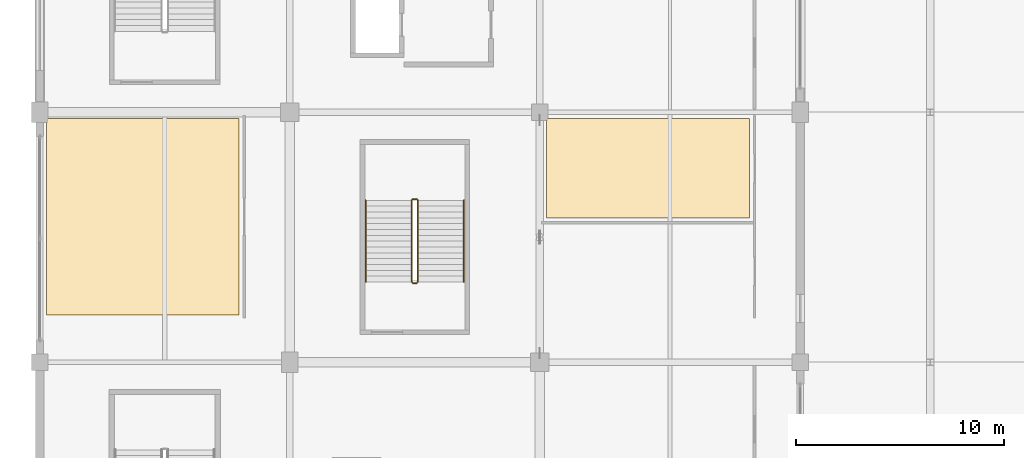
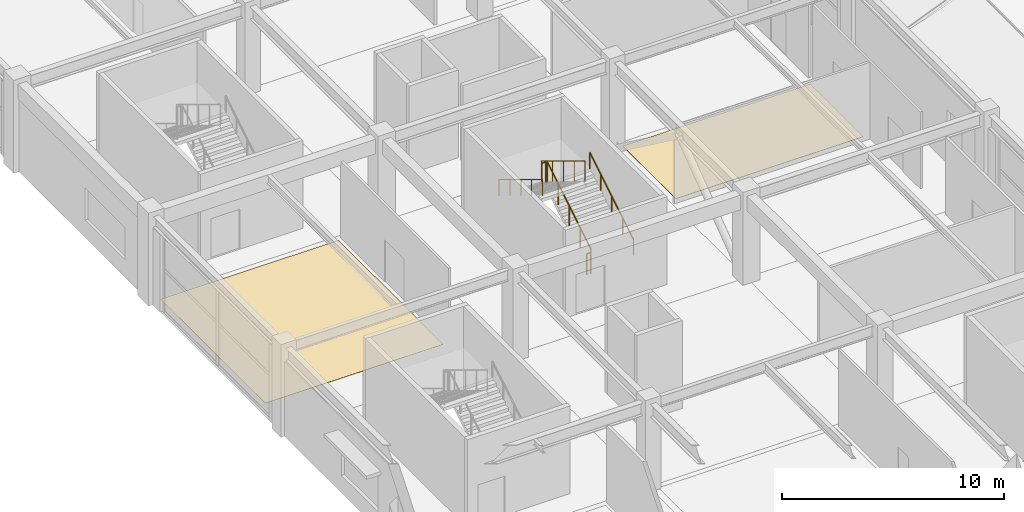
# One storey, part 95 of 116: 6 railings, 2 coverings.
"""IFC4 building model written with IfcOpenShell, lengths in metres."""

import ifcopenshell
import ifcopenshell.guid

model = None  # the IFC model being written
_history = None  # IfcOwnerHistory: only IFC2X3 demands one
_inside = {}  # id of a spatial element -> (the spatial element, [elements in it])
_under = {}  # id of a project, library or spatial element -> (it, [spatial elements below it])
_declared = {}  # id of a project -> (the project, [libraries it declares])
_typed = {}  # id of a type object -> (the type object, [elements of that type])
_made_of = {}  # id of a material, layer set ... -> (it, [elements and type objects made of it])


def new_model(schema):
    """Start an empty IFC model of exactly this schema.

    Asked for "IFC4X3", IfcOpenShell would pick the latest addendum, in which some entities
    have other attributes; the version numbers below select the first issue.
    IFC2X3 requires an IfcOwnerHistory on every rooted entity: one is made here for all.
    """
    global model, _history
    if schema == "IFC4X3":
        model = ifcopenshell.file(schema_version=(4, 3, 0, 0))
    else:
        model = ifcopenshell.file(schema=schema)
    _inside.clear()
    _under.clear()
    _declared.clear()
    _typed.clear()
    _made_of.clear()
    _history = None
    if model.schema == "IFC2X3":
        org = make("IfcOrganization", Name="unknown")
        user = make(
            "IfcPersonAndOrganization",
            ThePerson=make("IfcPerson", FamilyName="unknown"),
            TheOrganization=org,
        )
        app = make(
            "IfcApplication",
            ApplicationDeveloper=org,
            Version="unknown",
            ApplicationFullName="unknown",
            ApplicationIdentifier="unknown",
        )
        _history = make(
            "IfcOwnerHistory",
            OwningUser=user,
            OwningApplication=app,
            ChangeAction="ADDED",
            CreationDate=0,
        )
    return model


def make(cls, **values):
    """One entity of the class cls with the attributes given. An attribute that is None is left unset."""
    return model.create_entity(
        cls, **{name: value for name, value in values.items() if value is not None}
    )


def rooted(cls, **values):
    """An entity with a GlobalId (a new one), such as an element, a storey or a relation."""
    return make(cls, GlobalId=ifcopenshell.guid.new(), OwnerHistory=_history, **values)


def si_unit(unit_type, name, prefix=None):
    """IfcSIUnit, for example si_unit("LENGTHUNIT", "METRE", prefix="MILLI")."""
    return make("IfcSIUnit", UnitType=unit_type, Prefix=prefix, Name=name)


def assignment(units):
    """IfcUnitAssignment: the units of a project."""
    return None if units is None else make("IfcUnitAssignment", Units=units)


def point(xyz):
    """IfcCartesianPoint."""
    return None if xyz is None else make("IfcCartesianPoint", Coordinates=xyz)


def direction(xyz):
    """IfcDirection."""
    return None if xyz is None else make("IfcDirection", DirectionRatios=xyz)


def frame(location, z_axis=None, x_axis=None):
    """IfcAxis2Placement3D, a coordinate frame: its origin and axes. An axis left out is left unset."""
    return make(
        "IfcAxis2Placement3D",
        Location=point(location),
        Axis=direction(z_axis),
        RefDirection=direction(x_axis),
    )


def frame_2d(location, x_axis=None):
    """IfcAxis2Placement2D, a coordinate frame in the plane: its origin and x axis."""
    return make(
        "IfcAxis2Placement2D", Location=point(location), RefDirection=direction(x_axis)
    )


def origin():
    """The frame at (0, 0, 0) with its axes left unset."""
    return frame((0.0, 0.0, 0.0))


def origin_2d():
    """The frame at (0, 0) in the plane with its x axis left unset."""
    return frame_2d((0.0, 0.0))


def place(relative_to, where):
    """IfcLocalPlacement: puts the frame where relative to a parent placement (None: the world)."""
    return make(
        "IfcLocalPlacement", PlacementRelTo=relative_to, RelativePlacement=where
    )


def context(
    kind, dimensions, precision=None, world=None, true_north=None, identifier=None
):
    """IfcGeometricRepresentationContext, for example the 3D "Model" context."""
    return make(
        "IfcGeometricRepresentationContext",
        ContextIdentifier=identifier,
        ContextType=kind,
        CoordinateSpaceDimension=dimensions,
        Precision=precision,
        WorldCoordinateSystem=world,
        TrueNorth=true_north,
    )


def subcontext(parent, identifier, kind, view, scale=None):
    """IfcGeometricRepresentationSubContext, for example "Body" below "Model"."""
    return make(
        "IfcGeometricRepresentationSubContext",
        ContextIdentifier=identifier,
        ContextType=kind,
        ParentContext=parent,
        TargetScale=scale,
        TargetView=view,
    )


def project(units=None, contexts=None):
    """IfcProject with its units and contexts."""
    return rooted(
        "IfcProject",
        Name="project",
        RepresentationContexts=contexts,
        UnitsInContext=assignment(units),
    )


def spatial(cls, under=None, at=None, **own):
    """A site, building, storey or space (cls), placed at a placement, below another one or the project."""
    s = rooted(cls, ObjectPlacement=at, **own)
    if under is not None:
        _under.setdefault(under.id(), (under, []))[1].append(s)
    return s


def polyline(points):
    """IfcPolyline through the points."""
    return make("IfcPolyline", Points=[point(p) for p in points])


def profile(cls, at=None, kind="AREA", **sizes):
    """A parametric profile (cls). Its sizes go by their IFC names, for example OverallWidth=200.0."""
    return make(cls, ProfileType=kind, Position=at, **sizes)


def circle(**sizes):
    """IfcCircleProfileDef."""
    return profile("IfcCircleProfileDef", **sizes)


def outline(outer, holes=None, kind="AREA"):
    """IfcArbitraryClosedProfileDef: a profile drawn as a closed curve; with holes, ...WithVoids."""
    if holes is None:
        return make("IfcArbitraryClosedProfileDef", ProfileType=kind, OuterCurve=outer)
    return make(
        "IfcArbitraryProfileDefWithVoids",
        ProfileType=kind,
        OuterCurve=outer,
        InnerCurves=holes,
    )


def extrude(swept, where, along, depth):
    """IfcExtrudedAreaSolid: the profile swept, set in the frame where, extruded along a direction by depth."""
    return make(
        "IfcExtrudedAreaSolid",
        SweptArea=swept,
        Position=where,
        ExtrudedDirection=direction(along),
        Depth=depth,
    )


def shape(context_of_items, identifier, shape_type, items):
    """IfcShapeRepresentation: the items that make up one representation, for example the "Body"."""
    return make(
        "IfcShapeRepresentation",
        ContextOfItems=context_of_items,
        RepresentationIdentifier=identifier,
        RepresentationType=shape_type,
        Items=items,
    )


def material(Name=None, Category=None):
    """IfcMaterial."""
    return make("IfcMaterial", Name=Name, Category=Category)


def layer(
    of_material, thickness, ventilated=None, Name=None, Category=None, Priority=None
):
    """IfcMaterialLayer: one layer of a wall or slab, of a material (None: an air gap)."""
    return make(
        "IfcMaterialLayer",
        Material=of_material,
        LayerThickness=thickness,
        IsVentilated=ventilated,
        Name=Name,
        Category=Category,
        Priority=Priority,
    )


def layer_set(layers, Name=None):
    """IfcMaterialLayerSet."""
    return make("IfcMaterialLayerSet", MaterialLayers=layers, LayerSetName=Name)


def made_of(thing, what):
    """Note that an element or type object is made of a material, layer set ...; save() writes the relation."""
    if what is not None:
        _made_of.setdefault(what.id(), (what, []))[1].append(thing)
    return thing


def type_object(cls, material=None, **own):
    """A type object (cls), such as IfcWallType, which elements share."""
    return made_of(rooted(cls, **own), material)


def element(
    cls,
    number,
    at=None,
    inside=None,
    cuts=None,
    type_object=None,
    material=None,
    context=None,
    identifier="Body",
    shape_type=None,
    held_by="IfcProductDefinitionShape",
    body=None,
    shapes=None,
    **own,
):
    """One element of the class cls, such as IfcWall. Its Tag is "e" and its number.

    at: its placement. inside: the storey or other place that contains it. cuts: it is an
    opening in that element (IfcRelVoidsElement). A single representation is given by context,
    identifier, shape_type and body (its items); several are given by shapes. held_by: the class
    of the entity that holds the representations. save() writes the other relations.
    """
    e = rooted(cls, Tag="e%d" % number, ObjectPlacement=at, **own)
    if body is not None:
        shapes = [shape(context, identifier, shape_type, body)]
    if shapes is not None:
        e.Representation = make(held_by, Representations=shapes)
    if inside is not None:
        _inside.setdefault(inside.id(), (inside, []))[1].append(e)
    if cuts is not None:
        rooted(
            "IfcRelVoidsElement", RelatingBuildingElement=cuts, RelatedOpeningElement=e
        )
    if type_object is not None:
        _typed.setdefault(type_object.id(), (type_object, []))[1].append(e)
    return made_of(e, material)


def aggregate(whole, parts):
    """IfcRelAggregates: a whole, such as a stair, and the parts it consists of."""
    return rooted("IfcRelAggregates", RelatingObject=whole, RelatedObjects=parts)


def save(model, path):
    """Write the relations noted so far, then the file.

    IfcRelAggregates (storeys below a building ...), IfcRelContainedInSpatialStructure (elements
    in a storey), IfcRelDefinesByType, IfcRelAssociatesMaterial and IfcRelDeclares: one each for
    every whole, place, type object, material and project.
    """
    for whole, parts in _under.values():
        aggregate(whole, parts)
    for where, things in _inside.values():
        rooted(
            "IfcRelContainedInSpatialStructure",
            RelatedElements=things,
            RelatingStructure=where,
        )
    for kind, things in _typed.values():
        rooted("IfcRelDefinesByType", RelatedObjects=things, RelatingType=kind)
    for what, things in _made_of.values():
        rooted("IfcRelAssociatesMaterial", RelatedObjects=things, RelatingMaterial=what)
    for by, libraries in _declared.values():
        rooted("IfcRelDeclares", RelatingContext=by, RelatedDefinitions=libraries)
    model.write(path)


model = new_model("IFC4")

# Units and contexts
model_context = context("Model", 3, precision=1e-05, world=origin(), true_north=direction((0.0, 1.0)))
body_context = subcontext(model_context, "Body", "Model", "MODEL_VIEW")
ifc_project = project(units=[si_unit("LENGTHUNIT", "METRE"), si_unit("AREAUNIT", "SQUARE_METRE"), si_unit("VOLUMEUNIT", "CUBIC_METRE"), si_unit("PLANEANGLEUNIT", "RADIAN"), si_unit("MASSUNIT", "GRAM", prefix="KILO")], contexts=[model_context])

# Site, building, storey
site_placement = place(None, origin())
site = spatial("IfcSite", under=ifc_project, at=site_placement, CompositionType="ELEMENT")
building_placement = place(site_placement, origin())
building = spatial("IfcBuilding", under=site, at=building_placement, Name="Kazenohara Klinker Stadium", CompositionType="ELEMENT")
storey_placement = place(building_placement, frame((0.0, 0.0, 10.199951171875)))
storey = spatial("IfcBuildingStorey", under=building, at=storey_placement, Name="L02", CompositionType="ELEMENT", Elevation=10.199951171875)

# Coverings
ifc_material_1 = material(Name="Slip-resistant honed basalt terrazzo flooring", Category="masonry")
ifc_layer_1 = layer(ifc_material_1, 0.02001953125)
ifc_layer_set_1 = layer_set([ifc_layer_1], Name="Slip-resistant honed basalt terrazzo flooring")
covering_type_1 = type_object("IfcCoveringType", Name="COV-FLR-01", PredefinedType="FLOORING", material=ifc_layer_set_1)
covering_1_placement = place(storey_placement, origin())
element("IfcCovering", 1, at=covering_1_placement, inside=storey, type_object=covering_type_1, Name="Interior floor finish FL01 Sapporo Autumn Banquet Hall L02-0208B", PredefinedType="FLOORING", context=body_context, shape_type="SweptSolid", body=[
    extrude(outline(polyline([(24.330078125, 102.91845703125), (34.070068359375, 102.91845703125), (34.070068359375, 107.68994140625), (24.330078125, 107.68994140625), (24.330078125, 102.91845703125)])), origin(), (0.0, 0.0, 1.0), 0.02001953125),
])
ifc_material_2 = material(Name="Cushioned EPDM sports rubber flooring", Category="rubber")
ifc_layer_2 = layer(ifc_material_2, 0.014892578125)
ifc_layer_set_2 = layer_set([ifc_layer_2], Name="Cushioned EPDM sports rubber flooring")
covering_type_2 = type_object("IfcCoveringType", Name="COV-FLR-02", PredefinedType="FLOORING", material=ifc_layer_set_2)
covering_2_placement = place(storey_placement, origin())
element("IfcCovering", 2, at=covering_2_placement, inside=storey, type_object=covering_type_2, Name="Interior floor finish FL02 Sapporo Autumn Banquet Hall L02-0008A", PredefinedType="FLOORING", context=body_context, shape_type="SweptSolid", body=[
    extrude(outline(polyline([(0.330078125, 98.27001953125), (9.570068359375, 98.27001953125), (9.570068359375, 107.68994140625), (0.330078125, 107.68994140625), (0.330078125, 98.27001953125)])), origin(), (0.0, 0.0, 1.0), 0.01513671875),
])

# Railings
ifc_material_3 = material(Name="Brushed stainless steel 304 handrail", Category="steel")
ifc_layer_3 = layer(ifc_material_3, 0.050048828125)
ifc_layer_set_3 = layer_set([ifc_layer_3], Name="Brushed stainless steel 304 handrail")
railing_type_1 = type_object("IfcRailingType", Name="RL-HND-900", PredefinedType="HANDRAIL", material=ifc_layer_set_3)
railing_1_placement = place(storey_placement, frame((20.360107421875, 99.85009765625, 0.170166015625)))
element("IfcRailing", 3, at=railing_1_placement, inside=storey, type_object=railing_type_1, Name="L02 ST14 stair handrail 1", PredefinedType="HANDRAIL", context=body_context, shape_type="SweptSolid", body=[
    extrude(circle(Radius=0.02392578125, at=origin_2d()), frame((0.0, 0.0, 0.8759765625), z_axis=(0.0, 0.854794262968, 0.518967020143), x_axis=(-1.0, 0.0, 0.0)), (0.0, 0.0, 1.0), 4.585693359375),
    extrude(circle(Radius=0.02099609375, at=origin_2d()), origin(), (0.0, 0.0, 1.0), 0.851806640625),
    extrude(circle(Radius=0.02099609375, at=origin_2d()), frame((0.0, 0.97998046875, 0.594970703125)), (0.0, 0.0, 1.0), 0.851806640625),
    extrude(circle(Radius=0.02099609375, at=origin_2d()), frame((0.0, 1.9599609375, 1.18994140625)), (0.0, 0.0, 1.0), 0.851806640625),
    extrude(circle(Radius=0.02099609375, at=origin_2d()), frame((0.0, 2.93994140625, 1.784912109375)), (0.0, 0.0, 1.0), 0.851806640625),
    extrude(circle(Radius=0.02099609375, at=origin_2d()), frame((0.0, 3.919921875, 2.3798828125)), (0.0, 0.0, 1.0), 0.851806640625),
])
railing_2_placement = place(storey_placement, frame((15.639892578125, 103.77001953125, 2.719970703125)))
element("IfcRailing", 4, at=railing_2_placement, inside=storey, type_object=railing_type_1, Name="L02 ST14 stair handrail 2", PredefinedType="HANDRAIL", context=body_context, shape_type="SweptSolid", body=[
    extrude(circle(Radius=0.02392578125, at=origin_2d()), frame((0.0, 0.0, 0.8759765625), z_axis=(0.0, -0.854770645689, 0.519005918337), x_axis=(1.0, 0.0, 0.0)), (0.0, 0.0, 1.0), 4.5859375),
    extrude(circle(Radius=0.02099609375, at=origin_2d()), origin(), (0.0, 0.0, 1.0), 0.851806640625),
    extrude(circle(Radius=0.02099609375, at=origin_2d()), frame((0.0, -0.97998046875, 0.594970703125)), (0.0, 0.0, 1.0), 0.851806640625),
    extrude(circle(Radius=0.02099609375, at=origin_2d()), frame((0.0, -1.9599609375, 1.18994140625)), (0.0, 0.0, 1.0), 0.851806640625),
    extrude(circle(Radius=0.02099609375, at=origin_2d()), frame((0.0, -2.93994140625, 1.78515625)), (0.0, 0.0, 1.0), 0.851806640625),
    extrude(circle(Radius=0.02099609375, at=origin_2d()), frame((0.0, -3.919921875, 2.380126953125)), (0.0, 0.0, 1.0), 0.851806640625),
])
ifc_material_4 = material(Name="Painted steel stairwell guardrail", Category="steel")
ifc_layer_4 = layer(ifc_material_4, 0.06005859375)
ifc_layer_set_4 = layer_set([ifc_layer_4], Name="Painted steel stairwell guardrail")
railing_type_2 = type_object("IfcRailingType", Name="RL-STG-1120", PredefinedType="GUARDRAIL", material=ifc_layer_set_4)
railing_3_placement = place(storey_placement, frame((18.14990234375, 99.85009765625, 0.170166015625)))
element("IfcRailing", 5, at=railing_3_placement, inside=storey, type_object=railing_type_2, Name="L02 ST14 stair guard 1", PredefinedType="GUARDRAIL", context=body_context, shape_type="SweptSolid", body=[
    extrude(circle(Radius=0.02392578125, at=origin_2d()), frame((0.0, 0.0, 1.1259765625), z_axis=(0.0, 0.854794262968, 0.518967020143), x_axis=(-1.0, 0.0, 0.0)), (0.0, 0.0, 1.0), 4.585693359375),
    extrude(circle(Radius=0.02099609375, at=origin_2d()), origin(), (0.0, 0.0, 1.0), 1.101806640625),
    extrude(circle(Radius=0.02099609375, at=origin_2d()), frame((0.0, 0.97998046875, 0.594970703125)), (0.0, 0.0, 1.0), 1.101806640625),
    extrude(circle(Radius=0.02099609375, at=origin_2d()), frame((0.0, 1.9599609375, 1.18994140625)), (0.0, 0.0, 1.0), 1.101806640625),
    extrude(circle(Radius=0.02099609375, at=origin_2d()), frame((0.0, 2.93994140625, 1.784912109375)), (0.0, 0.0, 1.0), 1.101806640625),
    extrude(circle(Radius=0.02099609375, at=origin_2d()), frame((0.0, 3.919921875, 2.3798828125)), (0.0, 0.0, 1.0), 1.101806640625),
])
railing_4_placement = place(storey_placement, frame((18.10009765625, 103.820068359375, 2.550048828125)))
element("IfcRailing", 6, at=railing_4_placement, inside=storey, type_object=railing_type_2, Name="L02 ST14 stair guard 2", PredefinedType="GUARDRAIL", context=body_context, shape_type="SweptSolid", body=[
    extrude(circle(Radius=0.02392578125, at=origin_2d()), frame((0.0, 0.0, 1.1259765625), z_axis=(-1.0, 0.0, 0.0), x_axis=(0.0, -1.0, 0.0)), (0.0, 0.0, 1.0), 0.2001953125),
    extrude(circle(Radius=0.02099609375, at=origin_2d()), origin(), (0.0, 0.0, 1.0), 1.101806640625),
    extrude(circle(Radius=0.02099609375, at=origin_2d()), frame((-0.2001953125, 0.0, 0.0)), (0.0, 0.0, 1.0), 1.101806640625),
])
railing_5_placement = place(storey_placement, frame((17.85009765625, 103.77001953125, 2.719970703125)))
element("IfcRailing", 7, at=railing_5_placement, inside=storey, type_object=railing_type_2, Name="L02 ST14 stair guard 3", PredefinedType="GUARDRAIL", context=body_context, shape_type="SweptSolid", body=[
    extrude(circle(Radius=0.02392578125, at=origin_2d()), frame((0.0, 0.0, 1.1259765625), z_axis=(0.0, -0.854770645689, 0.519005918337), x_axis=(1.0, 0.0, 0.0)), (0.0, 0.0, 1.0), 4.5859375),
    extrude(circle(Radius=0.02099609375, at=origin_2d()), origin(), (0.0, 0.0, 1.0), 1.101806640625),
    extrude(circle(Radius=0.02099609375, at=origin_2d()), frame((0.0, -0.97998046875, 0.594970703125)), (0.0, 0.0, 1.0), 1.101806640625),
    extrude(circle(Radius=0.02099609375, at=origin_2d()), frame((0.0, -1.9599609375, 1.18994140625)), (0.0, 0.0, 1.0), 1.101806640625),
    extrude(circle(Radius=0.02099609375, at=origin_2d()), frame((0.0, -2.93994140625, 1.78515625)), (0.0, 0.0, 1.0), 1.101806640625),
    extrude(circle(Radius=0.02099609375, at=origin_2d()), frame((0.0, -3.919921875, 2.380126953125)), (0.0, 0.0, 1.0), 1.101806640625),
])
railing_6_placement = place(storey_placement, frame((18.10009765625, 99.800048828125, 0.0)))
element("IfcRailing", 8, at=railing_6_placement, inside=storey, type_object=railing_type_2, Name="L02 ST14 stair guard 4", PredefinedType="GUARDRAIL", context=body_context, shape_type="SweptSolid", body=[
    extrude(circle(Radius=0.02392578125, at=origin_2d()), frame((0.0, 0.0, 1.1259765625), z_axis=(-1.0, 0.0, 0.0), x_axis=(0.0, -1.0, 0.0)), (0.0, 0.0, 1.0), 0.2001953125),
    extrude(circle(Radius=0.02099609375, at=origin_2d()), origin(), (0.0, 0.0, 1.0), 1.101806640625),
    extrude(circle(Radius=0.02099609375, at=origin_2d()), frame((-0.2001953125, 0.0, 0.0)), (0.0, 0.0, 1.0), 1.101806640625),
])

save(model, "model.ifc")
